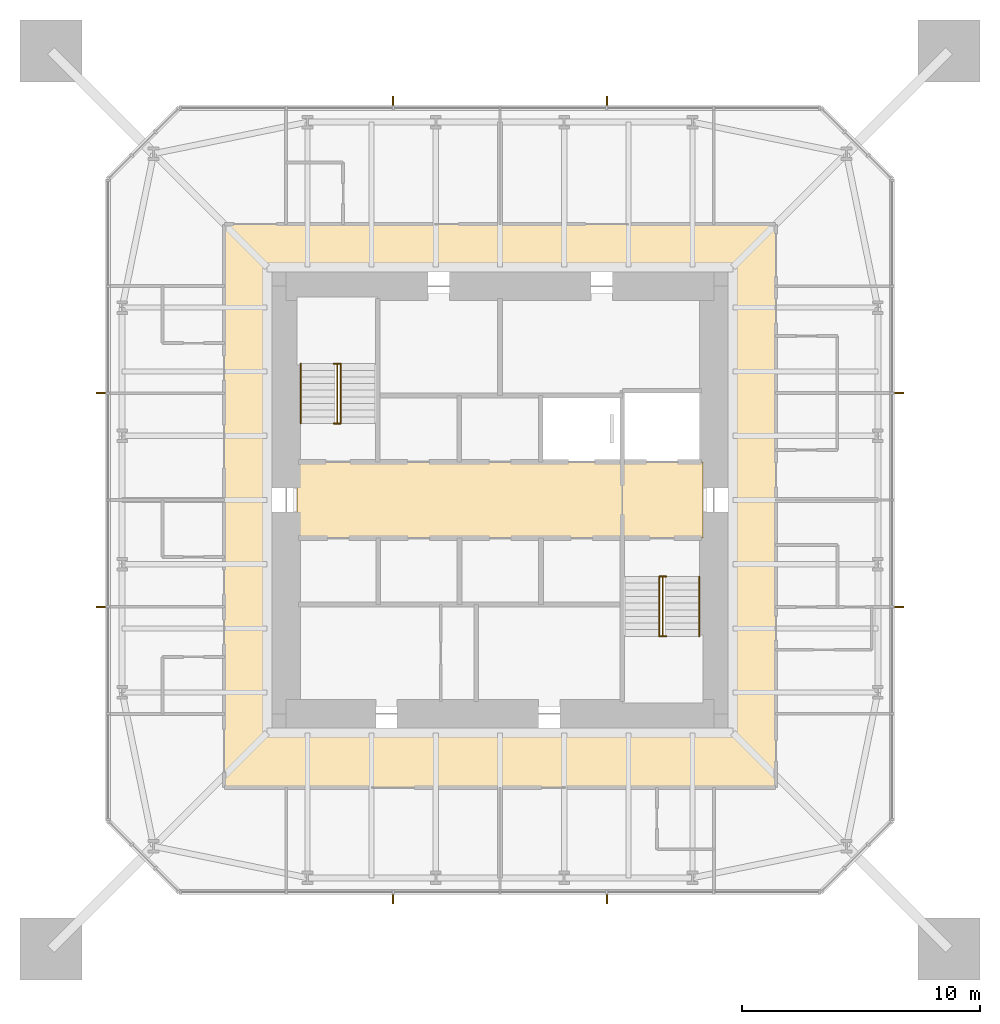
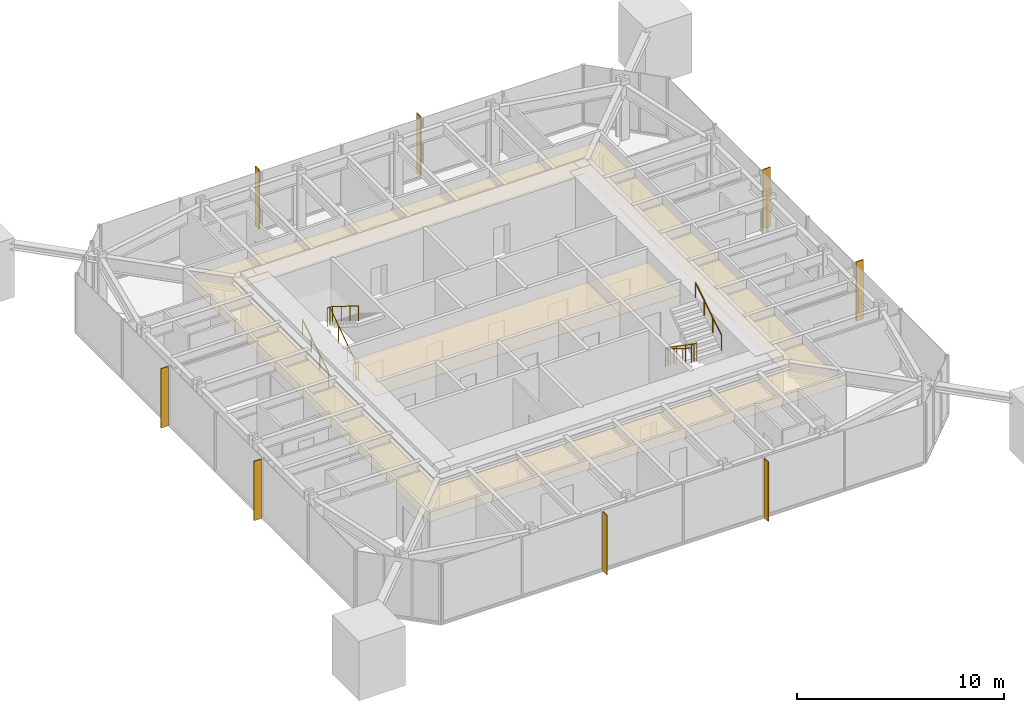
# One storey, part 9 of 9: 8 shading devices, 6 railings, 3 coverings.
"""IFC4 building model written with IfcOpenShell, lengths in metres."""

from ifc_helpers import new_model, si_unit, direction, frame, origin, origin_2d, place, context, subcontext, project, spatial, polyline, rectangle, circle, outline, extrude, material, layer, layer_set, constituent, constituent_set, type_object, element, save


model = new_model("IFC4")

# Units and contexts
model_context = context("Model", 3, precision=1e-05, world=origin(), true_north=direction((0.0, 1.0)))
body_context = subcontext(model_context, "Body", "Model", "MODEL_VIEW")
ifc_project = project(units=[si_unit("LENGTHUNIT", "METRE"), si_unit("AREAUNIT", "SQUARE_METRE"), si_unit("VOLUMEUNIT", "CUBIC_METRE"), si_unit("PLANEANGLEUNIT", "RADIAN"), si_unit("MASSUNIT", "GRAM", prefix="KILO")], contexts=[model_context])

# Site, building, storey
site_placement = place(None, origin())
site = spatial("IfcSite", under=ifc_project, at=site_placement, CompositionType="ELEMENT")
building_placement = place(site_placement, origin())
building = spatial("IfcBuilding", under=site, at=building_placement, Name="Iwan Alto Co-Living Towers", CompositionType="ELEMENT")
storey_placement = place(building_placement, frame((0.0, 0.0, 264.0)))
storey = spatial("IfcBuildingStorey", under=building, at=storey_placement, Name="L72", CompositionType="ELEMENT", Elevation=264.0)

# Coverings
ifc_material_1 = material(Name="Mineral fibre acoustic tiles on steel grid", Category="steel")
ifc_layer_1 = layer(ifc_material_1, 0.02001953125)
ifc_layer_set_1 = layer_set([ifc_layer_1], Name="ACOUSTIC TILE CEILING 20")
covering_type_1 = type_object("IfcCoveringType", Name="ACOUSTIC TILE CEILING 20", PredefinedType="CEILING", material=ifc_layer_set_1)
covering_1_placement = place(storey_placement, frame((0.0, 0.0, 2.60009765625)))
element("IfcCovering", 1, at=covering_1_placement, inside=storey, type_object=covering_type_1, Name="Ceiling Lift lobby L72", PredefinedType="CEILING", context=body_context, shape_type="SweptSolid", body=[
    extrude(outline(polyline([(-8.550048828125, -1.60009765625), (-8.550048828125, 1.60009765625), (5.14990234375, 1.60009765625), (5.14990234375, -1.60009765625), (-8.550048828125, -1.60009765625)])), origin(), (0.0, 0.0, 1.0), 0.02001953125),
])
covering_2_placement = place(storey_placement, frame((0.0, 0.0, 2.60009765625)))
element("IfcCovering", 2, at=covering_2_placement, inside=storey, type_object=covering_type_1, Name="Ceiling Firefighting lobby L72", PredefinedType="CEILING", context=body_context, shape_type="SweptSolid", body=[
    extrude(outline(polyline([(5.14990234375, -1.60009765625), (5.14990234375, 1.60009765625), (8.550048828125, 1.60009765625), (8.550048828125, -1.60009765625), (5.14990234375, -1.60009765625)])), origin(), (0.0, 0.0, 1.0), 0.02001953125),
])

# Shading devices
ifc_material_2 = material(Name="Aluminium 6063-T6 bronze anodised", Category="aluminium")
ifc_layer_2 = layer(ifc_material_2, 0.050048828125)
ifc_layer_set_2 = layer_set([ifc_layer_2], Name="BRONZE FIN 50X400")
shading_device_type = type_object("IfcShadingDeviceType", Name="BRONZE FIN 50X400", PredefinedType="USERDEFINED", material=ifc_layer_set_2)
for number, where, z_axis, x_axis, name in (
    (3, (-4.5, -16.800048828125, 0.0), (0.0, 0.0, 1.0), (1.0, 0.0, 0.0), "Bronze fin L72"),
    (4, (4.5, -16.800048828125, 0.0), (0.0, 0.0, 1.0), (1.0, 0.0, 0.0), "Bronze fin L72"),
    (5, (16.800048828125, -4.5, 0.0), (0.0, 0.0, 1.0), (0.0, 1.0, 0.0), "Bronze fin L72"),
    (6, (16.800048828125, 4.5, 0.0), (0.0, 0.0, 1.0), (0.0, 1.0, 0.0), "Bronze fin L72"),
    (7, (4.5, 16.800048828125, 0.0), (0.0, 0.0, 1.0), (-1.0, 0.0, 0.0), "Bronze fin L72"),
    (8, (-4.5, 16.800048828125, 0.0), (0.0, 0.0, 1.0), (-1.0, 0.0, 0.0), "Bronze fin L72"),
    (9, (-16.800048828125, 4.5, 0.0), (0.0, 0.0, 1.0), (0.0, -1.0, 0.0), "Bronze fin L72"),
    (10, (-16.800048828125, -4.5, 0.0), (0.0, 0.0, 1.0), (0.0, -1.0, 0.0), "Bronze fin L72"),
):
    element("IfcShadingDevice", number, at=place(storey_placement, frame(where, z_axis=z_axis, x_axis=x_axis)), inside=storey, type_object=shading_device_type, Name=name, ObjectType="LOUVER", PredefinedType="USERDEFINED", context=body_context, shape_type="SweptSolid", body=[
        extrude(rectangle(XDim=0.050048828125, YDim=0.39990234375, at=origin_2d()), origin(), (0.0, 0.0, 1.0), 3.5),
    ])

# Railings
ifc_material_3 = material(Name="Steel ASTM A500 Gr C", Category="steel")
ifc_constituent_1 = constituent(ifc_material_3, Name="Rails and posts", Category="Framing")
ifc_material_4 = material(Name="Steel ASTM A36", Category="steel")
ifc_constituent_2 = constituent(ifc_material_4, Name="Bar infill", Category="Infill")
ifc_constituent_set = constituent_set(constituents=[ifc_constituent_1, ifc_constituent_2], Name="STAIR GUARD 1100")
railing_type_1 = type_object("IfcRailingType", Name="STAIR GUARD 1100", PredefinedType="GUARDRAIL", material=ifc_constituent_set)
railing_1_placement = place(storey_placement, frame((-6.85009765625, 3.219970703125, 0.0)))
element("IfcRailing", 11, at=railing_1_placement, inside=storey, type_object=railing_type_1, Name="Stair T1-S1 well guard L72", PredefinedType="GUARDRAIL", context=body_context, shape_type="SweptSolid", body=[
    extrude(circle(Radius=0.02392578125, at=origin_2d()), frame((0.0, 0.0, 1.076171875), z_axis=(0.0, 0.821372036852, 0.570392826987), x_axis=(-1.0, 0.0, 0.0)), (0.0, 0.0, 1.0), 3.068115234375),
    extrude(circle(Radius=0.02392578125, at=origin_2d()), frame((-0.14990234375, 0.0, 1.076171875), z_axis=(1.0, 0.0, 0.0), x_axis=(0.0, 1.0, 0.0)), (0.0, 0.0, 1.0), 0.300048828125),
    extrude(circle(Radius=0.02392578125, at=origin_2d()), frame((-0.14990234375, 2.52001953125, 2.826171875), z_axis=(1.0, 0.0, 0.0), x_axis=(0.0, 1.0, 0.0)), (0.0, 0.0, 1.0), 0.300048828125),
    extrude(circle(Radius=0.02099609375, at=origin_2d()), origin(), (0.0, 0.0, 1.0), 1.052001953125),
    extrude(circle(Radius=0.02099609375, at=origin_2d()), frame((0.0, 0.840087890625, 0.583251953125)), (0.0, 0.0, 1.0), 1.052001953125),
    extrude(circle(Radius=0.02099609375, at=origin_2d()), frame((0.0, 1.679931640625, 1.166748046875)), (0.0, 0.0, 1.0), 1.052001953125),
    extrude(circle(Radius=0.02099609375, at=origin_2d()), frame((0.0, 2.52001953125, 1.75)), (0.0, 0.0, 1.0), 1.052001953125),
    extrude(circle(Radius=0.02099609375, at=origin_2d()), frame((-0.14990234375, 0.0, 0.0)), (0.0, 0.0, 1.0), 1.052001953125),
    extrude(circle(Radius=0.02099609375, at=origin_2d()), frame((0.150146484375, 0.0, 0.0)), (0.0, 0.0, 1.0), 1.052001953125),
    extrude(circle(Radius=0.02099609375, at=origin_2d()), frame((-0.14990234375, 2.52001953125, 1.75)), (0.0, 0.0, 1.0), 1.052001953125),
    extrude(circle(Radius=0.02099609375, at=origin_2d()), frame((0.150146484375, 2.52001953125, 1.75)), (0.0, 0.0, 1.0), 1.052001953125),
])
railing_2_placement = place(storey_placement, frame((6.85009765625, -3.219970703125, 0.0)))
element("IfcRailing", 12, at=railing_2_placement, inside=storey, type_object=railing_type_1, Name="Stair T1-S2 well guard L72", PredefinedType="GUARDRAIL", context=body_context, shape_type="SweptSolid", body=[
    extrude(circle(Radius=0.02392578125, at=origin_2d()), frame((0.0, 0.0, 1.076171875), z_axis=(0.0, -0.821372036852, 0.570392826987), x_axis=(1.0, 0.0, 0.0)), (0.0, 0.0, 1.0), 3.068115234375),
    extrude(circle(Radius=0.02392578125, at=origin_2d()), frame((-0.150146484375, 0.0, 1.076171875), z_axis=(1.0, 0.0, 0.0), x_axis=(0.0, 1.0, 0.0)), (0.0, 0.0, 1.0), 0.300048828125),
    extrude(circle(Radius=0.02392578125, at=origin_2d()), frame((-0.150146484375, -2.52001953125, 2.826171875), z_axis=(1.0, 0.0, 0.0), x_axis=(0.0, 1.0, 0.0)), (0.0, 0.0, 1.0), 0.300048828125),
    extrude(circle(Radius=0.02099609375, at=origin_2d()), origin(), (0.0, 0.0, 1.0), 1.052001953125),
    extrude(circle(Radius=0.02099609375, at=origin_2d()), frame((0.0, -0.840087890625, 0.583251953125)), (0.0, 0.0, 1.0), 1.052001953125),
    extrude(circle(Radius=0.02099609375, at=origin_2d()), frame((0.0, -1.679931640625, 1.166748046875)), (0.0, 0.0, 1.0), 1.052001953125),
    extrude(circle(Radius=0.02099609375, at=origin_2d()), frame((0.0, -2.52001953125, 1.75)), (0.0, 0.0, 1.0), 1.052001953125),
    extrude(circle(Radius=0.02099609375, at=origin_2d()), frame((-0.150146484375, 0.0, 0.0)), (0.0, 0.0, 1.0), 1.052001953125),
    extrude(circle(Radius=0.02099609375, at=origin_2d()), frame((0.14990234375, 0.0, 0.0)), (0.0, 0.0, 1.0), 1.052001953125),
    extrude(circle(Radius=0.02099609375, at=origin_2d()), frame((-0.150146484375, -2.52001953125, 1.75)), (0.0, 0.0, 1.0), 1.052001953125),
    extrude(circle(Radius=0.02099609375, at=origin_2d()), frame((0.14990234375, -2.52001953125, 1.75)), (0.0, 0.0, 1.0), 1.052001953125),
])
ifc_material_5 = material(Name="Steel ASTM A500 Gr C", Category="steel")
railing_type_2 = type_object("IfcRailingType", Name="STAIR HANDRAIL 900", PredefinedType="HANDRAIL", material=ifc_material_5)
railing_3_placement = place(storey_placement, frame((-8.3798828125, 3.219970703125, 0.175048828125)))
element("IfcRailing", 13, at=railing_3_placement, inside=storey, type_object=railing_type_2, Name="Stair T1-S1 handrail 1 L72", PredefinedType="HANDRAIL", context=body_context, shape_type="SweptSolid", body=[
    extrude(circle(Radius=0.02392578125, at=origin_2d()), frame((0.0, 0.0, 0.8759765625), z_axis=(0.0, 0.848007534815, 0.529984170421), x_axis=(-1.0, 0.0, 0.0)), (0.0, 0.0, 1.0), 2.9716796875),
    extrude(circle(Radius=0.02099609375, at=origin_2d()), origin(), (0.0, 0.0, 1.0), 0.851806640625),
    extrude(circle(Radius=0.02099609375, at=origin_2d()), frame((0.0, 0.840087890625, 0.52490234375)), (0.0, 0.0, 1.0), 0.851806640625),
    extrude(circle(Radius=0.02099609375, at=origin_2d()), frame((0.0, 1.679931640625, 1.050048828125)), (0.0, 0.0, 1.0), 0.851806640625),
    extrude(circle(Radius=0.02099609375, at=origin_2d()), frame((0.0, 2.52001953125, 1.574951171875)), (0.0, 0.0, 1.0), 0.851806640625),
])
for number, where, name in (
    (14, (-6.699951171875, 5.739990234375, 1.925048828125), "Stair T1-S1 handrail 2 L72"),
    (15, (6.699951171875, -3.219970703125, 0.175048828125), "Stair T1-S2 handrail 1 L72"),
):
    element("IfcRailing", number, at=place(storey_placement, frame(where)), inside=storey, type_object=railing_type_2, Name=name, PredefinedType="HANDRAIL", context=body_context, shape_type="SweptSolid", body=[
        extrude(circle(Radius=0.02392578125, at=origin_2d()), frame((0.0, 0.0, 0.8759765625), z_axis=(0.0, -0.848007534815, 0.529984170421), x_axis=(1.0, 0.0, 0.0)), (0.0, 0.0, 1.0), 2.9716796875),
        extrude(circle(Radius=0.02099609375, at=origin_2d()), origin(), (0.0, 0.0, 1.0), 0.851806640625),
        extrude(circle(Radius=0.02099609375, at=origin_2d()), frame((0.0, -0.840087890625, 0.52490234375)), (0.0, 0.0, 1.0), 0.851806640625),
        extrude(circle(Radius=0.02099609375, at=origin_2d()), frame((0.0, -1.679931640625, 1.050048828125)), (0.0, 0.0, 1.0), 0.851806640625),
        extrude(circle(Radius=0.02099609375, at=origin_2d()), frame((0.0, -2.52001953125, 1.574951171875)), (0.0, 0.0, 1.0), 0.851806640625),
    ])
railing_4_placement = place(storey_placement, frame((8.3798828125, -5.739990234375, 1.925048828125)))
element("IfcRailing", 16, at=railing_4_placement, inside=storey, type_object=railing_type_2, Name="Stair T1-S2 handrail 2 L72", PredefinedType="HANDRAIL", context=body_context, shape_type="SweptSolid", body=[
    extrude(circle(Radius=0.02392578125, at=origin_2d()), frame((0.0, 0.0, 0.8759765625), z_axis=(0.0, 0.848007534815, 0.529984170421), x_axis=(-1.0, 0.0, 0.0)), (0.0, 0.0, 1.0), 2.9716796875),
    extrude(circle(Radius=0.02099609375, at=origin_2d()), origin(), (0.0, 0.0, 1.0), 0.851806640625),
    extrude(circle(Radius=0.02099609375, at=origin_2d()), frame((0.0, 0.840087890625, 0.52490234375)), (0.0, 0.0, 1.0), 0.851806640625),
    extrude(circle(Radius=0.02099609375, at=origin_2d()), frame((0.0, 1.679931640625, 1.050048828125)), (0.0, 0.0, 1.0), 0.851806640625),
    extrude(circle(Radius=0.02099609375, at=origin_2d()), frame((0.0, 2.52001953125, 1.574951171875)), (0.0, 0.0, 1.0), 0.851806640625),
])

# Covering
ifc_material_6 = material(Name="Gypsum plasterboard on steel grid", Category="steel")
ifc_layer_3 = layer(ifc_material_6, 0.014892578125)
ifc_layer_set_3 = layer_set([ifc_layer_3], Name="SUSPENDED PLASTERBOARD CEILING 15")
covering_type_2 = type_object("IfcCoveringType", Name="SUSPENDED PLASTERBOARD CEILING 15", PredefinedType="CEILING", material=ifc_layer_set_3)
covering_3_placement = place(storey_placement, frame((0.0, 0.0, 2.60009765625)))
element("IfcCovering", 17, at=covering_3_placement, inside=storey, type_object=covering_type_2, Name="Ceiling Corridor L72", PredefinedType="CEILING", context=body_context, shape_type="SweptSolid", body=[
    extrude(outline(polyline([(-11.60009765625, 11.60009765625), (11.60009765625, 11.60009765625), (11.60009765625, -12.10009765625), (-11.60009765625, -12.10009765625), (-11.60009765625, 11.60009765625)]), holes=[polyline([(-9.60009765625, 9.60009765625), (-9.60009765625, -9.60009765625), (9.60009765625, -9.60009765625), (9.60009765625, 9.60009765625), (-9.60009765625, 9.60009765625)])]), origin(), (0.0, 0.0, 1.0), 0.014892578125),
])

save(model, "model.ifc")
